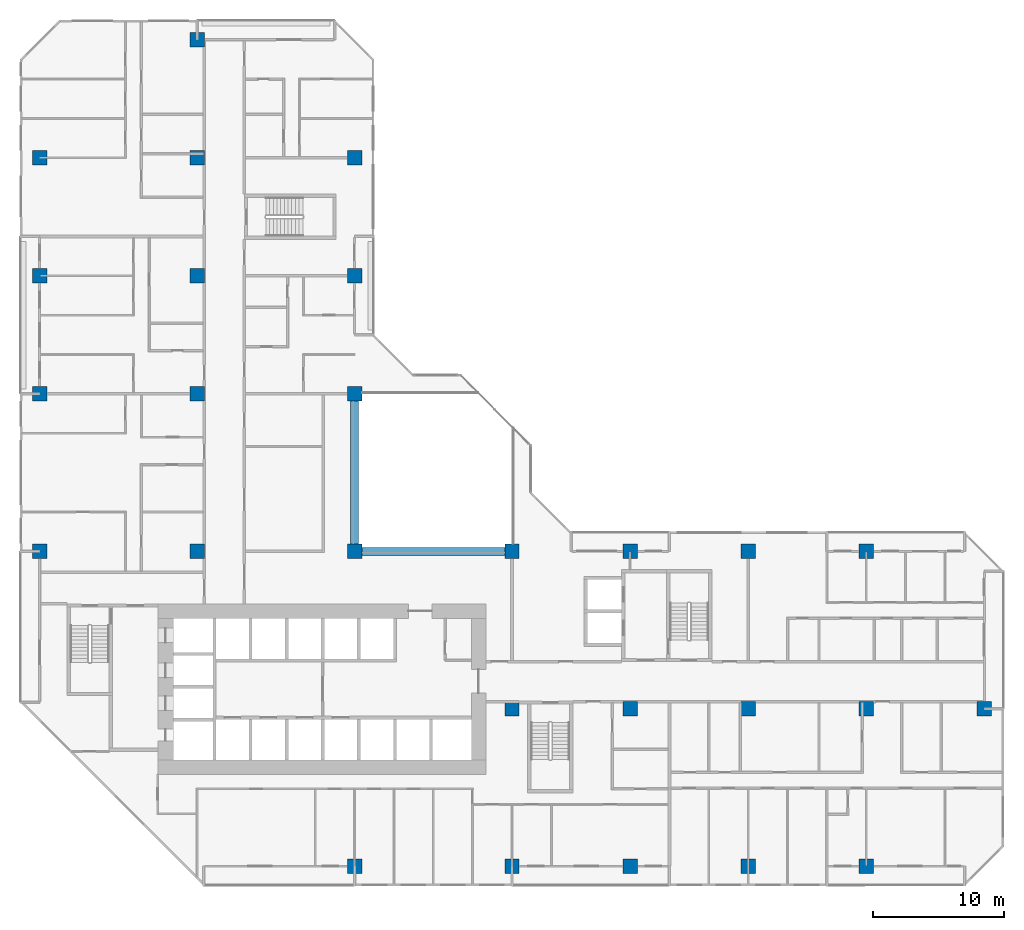
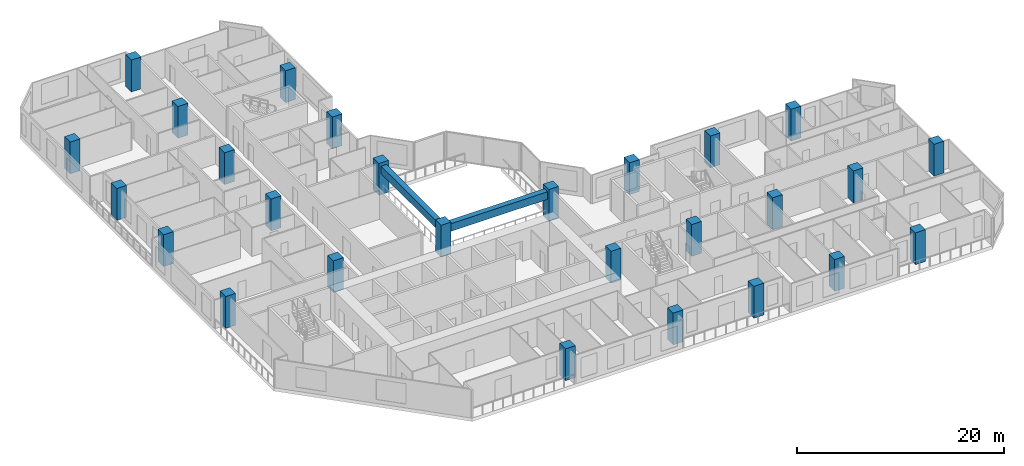
# One storey, part 1 of 16: 27 columns, 2 beams.
"""IFC4 building model written with IfcOpenShell, lengths in metres."""

from ifc_helpers import new_model, si_unit, direction, frame, origin, origin_2d, place, context, subcontext, project, spatial, rectangle, extrude, material, material_profile, profile_set, type_object, element, save


model = new_model("IFC4")

# Units and contexts
model_context = context("Model", 3, precision=1e-05, world=origin(), true_north=direction((0.0, 1.0)))
body_context = subcontext(model_context, "Body", "Model", "MODEL_VIEW")
ifc_project = project(units=[si_unit("LENGTHUNIT", "METRE"), si_unit("AREAUNIT", "SQUARE_METRE"), si_unit("VOLUMEUNIT", "CUBIC_METRE"), si_unit("PLANEANGLEUNIT", "RADIAN"), si_unit("MASSUNIT", "GRAM", prefix="KILO")], contexts=[model_context])

# Site, building, storey
site_placement = place(None, origin())
site = spatial("IfcSite", under=ifc_project, at=site_placement, CompositionType="ELEMENT")
building_placement = place(site_placement, origin())
building = spatial("IfcBuilding", under=site, at=building_placement, Name="Chenar Terraces", CompositionType="ELEMENT")
storey_placement = place(building_placement, frame((0.0, 0.0, 75.14990234375)))
storey = spatial("IfcBuildingStorey", under=building, at=storey_placement, Name="L16", CompositionType="ELEMENT", Elevation=75.14990234375)

# Columns
ifc_material_1 = material(Name="Concrete C70/85", Category="concrete")
ifc_material_profile_1 = material_profile(ifc_material_1, rectangle(XDim=1.10009765625, YDim=1.10009765625, at=origin_2d()), Name="C 1100 x 1100")
ifc_profile_set_1 = profile_set([ifc_material_profile_1], Name="Concrete C70/85")
column_type = type_object("IfcColumnType", Name="Column C 1100 x 1100 Concrete C70/85", PredefinedType="COLUMN", material=ifc_profile_set_1)
column_1_placement = place(storey_placement, frame((0.0, 24.0, 0.0), z_axis=(0.0, 0.0, 1.0), x_axis=(1.0, 0.0, 0.0)))
element("IfcColumn", 1, at=column_1_placement, inside=storey, type_object=column_type, Name="Column 5/G L16", PredefinedType="COLUMN", context=body_context, shape_type="SweptSolid", body=[
    extrude(rectangle(XDim=1.10009765625, YDim=1.10009765625, at=origin_2d()), origin(), (0.0, 0.0, 1.0), 3.75),
])
column_2_placement = place(storey_placement, frame((0.0, 36.0, 0.0), z_axis=(0.0, 0.0, 1.0), x_axis=(1.0, 0.0, 0.0)))
element("IfcColumn", 2, at=column_2_placement, inside=storey, type_object=column_type, Name="Column 5/H L16", PredefinedType="COLUMN", context=body_context, shape_type="SweptSolid", body=[
    extrude(rectangle(XDim=1.10009765625, YDim=1.10009765625, at=origin_2d()), origin(), (0.0, 0.0, 1.0), 3.75),
])
column_3_placement = place(storey_placement, frame((0.0, 45.0, 0.0), z_axis=(0.0, 0.0, 1.0), x_axis=(1.0, 0.0, 0.0)))
element("IfcColumn", 3, at=column_3_placement, inside=storey, type_object=column_type, Name="Column 5/J L16", PredefinedType="COLUMN", context=body_context, shape_type="SweptSolid", body=[
    extrude(rectangle(XDim=1.10009765625, YDim=1.10009765625, at=origin_2d()), origin(), (0.0, 0.0, 1.0), 3.75),
])
column_4_placement = place(storey_placement, frame((0.0, 54.0, 0.0), z_axis=(0.0, 0.0, 1.0), x_axis=(1.0, 0.0, 0.0)))
element("IfcColumn", 4, at=column_4_placement, inside=storey, type_object=column_type, Name="Column 5/K L16", PredefinedType="COLUMN", context=body_context, shape_type="SweptSolid", body=[
    extrude(rectangle(XDim=1.10009765625, YDim=1.10009765625, at=origin_2d()), origin(), (0.0, 0.0, 1.0), 3.75),
])
for number, where, z_axis, x_axis, name in (
    (5, (12.0, 24.0, 0.0), (0.0, 0.0, 1.0), (1.0, 0.0, 0.0), "Column 6/G L16"),
    (6, (12.0, 36.0, 0.0), (0.0, 0.0, 1.0), (1.0, 0.0, 0.0), "Column 6/H L16"),
    (7, (12.0, 45.0, 0.0), (0.0, 0.0, 1.0), (1.0, 0.0, 0.0), "Column 6/J L16"),
    (8, (12.0, 54.0, 0.0), (0.0, 0.0, 1.0), (1.0, 0.0, 0.0), "Column 6/K L16"),
    (9, (12.0, 63.0, 0.0), (0.0, 0.0, 1.0), (1.0, 0.0, 0.0), "Column 6/L L16"),
    (10, (24.0, 0.0, 0.0), (0.0, 0.0, 1.0), (1.0, 0.0, 0.0), "Column 7/E L16"),
    (11, (24.0, 24.0, 0.0), (0.0, 0.0, 1.0), (1.0, 0.0, 0.0), "Column 7/G L16"),
    (12, (24.0, 36.0, 0.0), (0.0, 0.0, 1.0), (1.0, 0.0, 0.0), "Column 7/H L16"),
    (13, (24.0, 45.0, 0.0), (0.0, 0.0, 1.0), (1.0, 0.0, 0.0), "Column 7/J L16"),
    (14, (24.0, 54.0, 0.0), (0.0, 0.0, 1.0), (1.0, 0.0, 0.0), "Column 7/K L16"),
    (15, (36.0, 0.0, 0.0), (0.0, 0.0, 1.0), (1.0, 0.0, 0.0), "Column 8/E L16"),
    (16, (36.0, 12.0, 0.0), (0.0, 0.0, 1.0), (1.0, 0.0, 0.0), "Column 8/F L16"),
    (17, (36.0, 24.0, 0.0), (0.0, 0.0, 1.0), (1.0, 0.0, 0.0), "Column 8/G L16"),
    (18, (45.0, 0.0, 0.0), (0.0, 0.0, 1.0), (1.0, 0.0, 0.0), "Column 9/E L16"),
    (19, (45.0, 12.0, 0.0), (0.0, 0.0, 1.0), (1.0, 0.0, 0.0), "Column 9/F L16"),
    (20, (45.0, 24.0, 0.0), (0.0, 0.0, 1.0), (1.0, 0.0, 0.0), "Column 9/G L16"),
    (21, (54.0, 0.0, 0.0), (0.0, 0.0, 1.0), (1.0, 0.0, 0.0), "Column 10/E L16"),
    (22, (54.0, 12.0, 0.0), (0.0, 0.0, 1.0), (1.0, 0.0, 0.0), "Column 10/F L16"),
    (23, (54.0, 24.0, 0.0), (0.0, 0.0, 1.0), (1.0, 0.0, 0.0), "Column 10/G L16"),
    (24, (63.0, 0.0, 0.0), (0.0, 0.0, 1.0), (1.0, 0.0, 0.0), "Column 11/E L16"),
    (25, (63.0, 12.0, 0.0), (0.0, 0.0, 1.0), (1.0, 0.0, 0.0), "Column 11/F L16"),
    (26, (63.0, 24.0, 0.0), (0.0, 0.0, 1.0), (1.0, 0.0, 0.0), "Column 11/G L16"),
    (27, (72.0, 12.0, 0.0), (0.0, 0.0, 1.0), (1.0, 0.0, 0.0), "Column 12/F L16"),
):
    element("IfcColumn", number, at=place(storey_placement, frame(where, z_axis=z_axis, x_axis=x_axis)), inside=storey, type_object=column_type, Name=name, PredefinedType="COLUMN", context=body_context, shape_type="SweptSolid", body=[
        extrude(rectangle(XDim=1.10009765625, YDim=1.10009765625, at=origin_2d()), origin(), (0.0, 0.0, 1.0), 3.75),
    ])

# Beams
ifc_material_2 = material(Name="Concrete C40/50", Category="concrete")
ifc_material_profile_2 = material_profile(ifc_material_2, rectangle(XDim=0.60009765625, YDim=0.89990234375, at=origin_2d()), Name="RC 600 x 900")
ifc_profile_set_2 = profile_set([ifc_material_profile_2], Name="Concrete C40/50")
beam_type = type_object("IfcBeamType", Name="Atrium edge beam 600 x 900 Concrete C40/50", PredefinedType="BEAM", material=ifc_profile_set_2)
for number, where, z_axis, x_axis, name in (
    (28, (24.550048828125, 24.0, 2.900146484375), (1.0, 0.0, 0.0), (0.0, 1.0, 0.0), "Atrium edge beam L17 1"),
    (29, (24.0, 35.449951171875, 2.900146484375), (0.0, -1.0, 0.0), (1.0, 0.0, 0.0), "Atrium edge beam L17 4"),
):
    element("IfcBeam", number, at=place(storey_placement, frame(where, z_axis=z_axis, x_axis=x_axis)), inside=storey, type_object=beam_type, Name=name, PredefinedType="BEAM", context=body_context, shape_type="SweptSolid", body=[
        extrude(rectangle(XDim=0.60009765625, YDim=0.89990234375, at=origin_2d()), origin(), (0.0, 0.0, 1.0), 10.89990234375),
    ])

save(model, "model.ifc")
